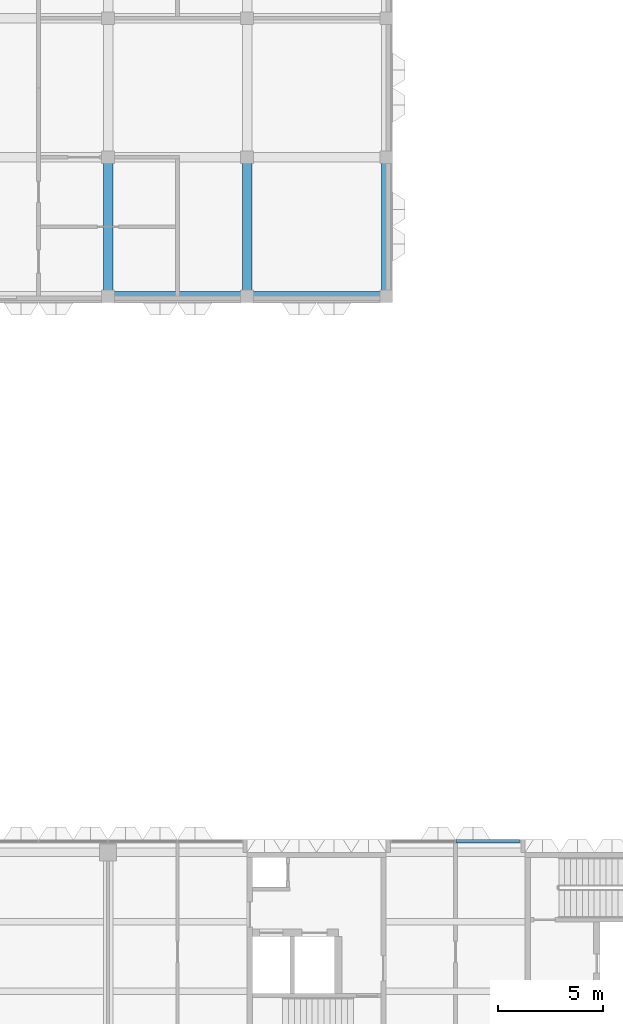
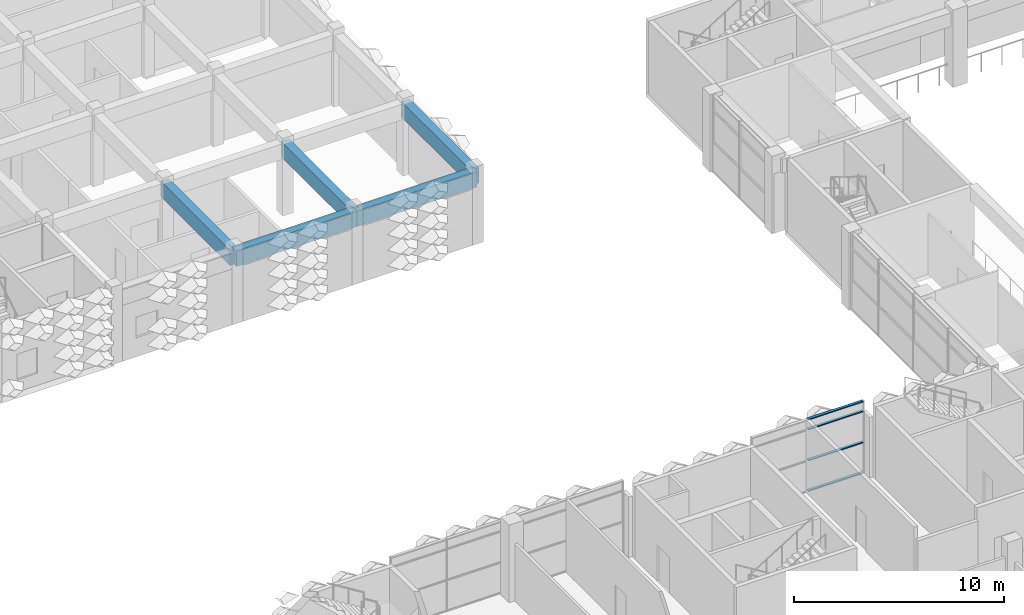
# One storey, part 10 of 87: 5 beams, 4 members, 1 element without a shape of its own.
"""IFC4 building model written with IfcOpenShell, lengths in metres."""

from ifc_helpers import new_model, si_unit, direction, frame, origin, origin_2d, place, context, subcontext, project, spatial, rectangle, extrude, material, material_profile, profile_set, type_object, element, aggregate, save


model = new_model("IFC4")

# Units and contexts
model_context = context("Model", 3, precision=1e-05, world=origin(), true_north=direction((0.0, 1.0)))
body_context = subcontext(model_context, "Body", "Model", "MODEL_VIEW")
ifc_project = project(units=[si_unit("LENGTHUNIT", "METRE"), si_unit("AREAUNIT", "SQUARE_METRE"), si_unit("VOLUMEUNIT", "CUBIC_METRE"), si_unit("PLANEANGLEUNIT", "RADIAN"), si_unit("MASSUNIT", "GRAM", prefix="KILO")], contexts=[model_context])

# Site, building, storey
site_placement = place(None, origin())
site = spatial("IfcSite", under=ifc_project, at=site_placement, CompositionType="ELEMENT")
building_placement = place(site_placement, origin())
building = spatial("IfcBuilding", under=site, at=building_placement, Name="Lantern Court Research Institute", CompositionType="ELEMENT")
storey_placement = place(building_placement, frame((0.0, 0.0, 5.39990234375)))
storey = spatial("IfcBuildingStorey", under=building, at=storey_placement, Name="L01", CompositionType="ELEMENT", Elevation=5.39990234375)

# Beams
ifc_material_1 = material(Name="Concrete C40/50", Category="concrete")
ifc_material_profile_1 = material_profile(ifc_material_1, rectangle(XDim=0.449951171875, YDim=0.89990234375, at=origin_2d()), Name="Clean room beam 450 x 900")
ifc_profile_set_1 = profile_set([ifc_material_profile_1], Name="Concrete C40/50")
beam_type = type_object("IfcBeamType", Name="Clean room beam 450 x 900", PredefinedType="BEAM", material=ifc_profile_set_1)
beam_1_placement = place(storey_placement, frame((13.199951171875, 49.5, 3.7001953125), z_axis=(1.0, 0.0, 0.0), x_axis=(0.0, 1.0, 0.0)))
element("IfcBeam", 1, at=beam_1_placement, inside=storey, type_object=beam_type, Name="Clean room beam", PredefinedType="BEAM", context=body_context, shape_type="SweptSolid", body=[
    extrude(rectangle(XDim=0.449951171875, YDim=0.89990234375, at=origin_2d()), origin(), (0.0, 0.0, 1.0), 6.60009765625),
])
beam_2_placement = place(storey_placement, frame((19.800048828125, 49.5, 3.7001953125), z_axis=(1.0, 0.0, 0.0), x_axis=(0.0, 1.0, 0.0)))
element("IfcBeam", 2, at=beam_2_placement, inside=storey, type_object=beam_type, Name="Clean room beam", PredefinedType="BEAM", context=body_context, shape_type="SweptSolid", body=[
    extrude(rectangle(XDim=0.449951171875, YDim=0.89990234375, at=origin_2d()), origin(), (0.0, 0.0, 1.0), 6.599853515625),
])
for number, where, z_axis, x_axis, name in (
    (3, (13.199951171875, 49.5, 3.7001953125), (0.0, 1.0, 0.0), (-1.0, 0.0, 0.0), "Clean room beam"),
    (4, (19.800048828125, 49.5, 3.7001953125), (0.0, 1.0, 0.0), (-1.0, 0.0, 0.0), "Clean room beam"),
    (5, (26.39990234375, 49.5, 3.7001953125), (0.0, 1.0, 0.0), (-1.0, 0.0, 0.0), "Clean room beam"),
):
    element("IfcBeam", number, at=place(storey_placement, frame(where, z_axis=z_axis, x_axis=x_axis)), inside=storey, type_object=beam_type, Name=name, PredefinedType="BEAM", context=body_context, shape_type="SweptSolid", body=[
        extrude(rectangle(XDim=0.449951171875, YDim=0.89990234375, at=origin_2d()), origin(), (0.0, 0.0, 1.0), 6.60009765625),
    ])

# Curtain wall, members
ifc_material_2 = material(Name="Aluminium alloy 6063-T6", Category="aluminium")
curtain_wall_type = type_object("IfcCurtainWallType", Name="Curtain wall 6200 x 4200 x 150 aluminium frame", PredefinedType="NOTDEFINED", material=ifc_material_2)
curtain_wall_placement = place(storey_placement, origin())
curtain_wall = element("IfcCurtainWall", 6, at=curtain_wall_placement, inside=storey, type_object=curtain_wall_type, Name="Curtain wall CW022", PredefinedType="NOTDEFINED")
ifc_material_3 = material(Name="Aluminium alloy 6063-T6", Category="aluminium")
ifc_material_profile_2 = material_profile(ifc_material_3, rectangle(XDim=0.14990234375, YDim=0.06005859375, at=origin_2d()), Name="Transom 150 x 60")
ifc_profile_set_2 = profile_set([ifc_material_profile_2], Name="Aluminium alloy 6063-T6")
member_type = type_object("IfcMemberType", Name="Transom 150 x 60 aluminium", PredefinedType="USERDEFINED", material=ifc_profile_set_2)
member_1_placement = place(storey_placement, frame((29.72998046875, 23.625, 0.030029296875), z_axis=(1.0, 0.0, 0.0), x_axis=(0.0, 1.0, 0.0)))
member_1 = element("IfcMember", 7, at=member_1_placement, type_object=member_type, Name="CW022 transom 2.1", ObjectType="TRANSOM", PredefinedType="USERDEFINED", context=body_context, shape_type="SweptSolid", body=[
    extrude(rectangle(XDim=0.14990234375, YDim=0.06005859375, at=origin_2d()), origin(), (0.0, 0.0, 1.0), 3.010009765625),
])
member_2_placement = place(storey_placement, frame((29.72998046875, 23.625, 1.800048828125), z_axis=(1.0, 0.0, 0.0), x_axis=(0.0, 1.0, 0.0)))
member_2 = element("IfcMember", 8, at=member_2_placement, type_object=member_type, Name="CW022 transom 2.2", ObjectType="TRANSOM", PredefinedType="USERDEFINED", context=body_context, shape_type="SweptSolid", body=[
    extrude(rectangle(XDim=0.14990234375, YDim=0.06005859375, at=origin_2d()), origin(), (0.0, 0.0, 1.0), 3.010009765625),
])
member_3_placement = place(storey_placement, frame((29.72998046875, 23.625, 3.60009765625), z_axis=(1.0, 0.0, 0.0), x_axis=(0.0, 1.0, 0.0)))
member_3 = element("IfcMember", 9, at=member_3_placement, type_object=member_type, Name="CW022 transom 2.3", ObjectType="TRANSOM", PredefinedType="USERDEFINED", context=body_context, shape_type="SweptSolid", body=[
    extrude(rectangle(XDim=0.14990234375, YDim=0.06005859375, at=origin_2d()), origin(), (0.0, 0.0, 1.0), 3.010009765625),
])
member_4_placement = place(storey_placement, frame((29.72998046875, 23.625, 4.170166015625), z_axis=(1.0, 0.0, 0.0), x_axis=(0.0, 1.0, 0.0)))
member_4 = element("IfcMember", 10, at=member_4_placement, type_object=member_type, Name="CW022 transom 2.4", ObjectType="TRANSOM", PredefinedType="USERDEFINED", context=body_context, shape_type="SweptSolid", body=[
    extrude(rectangle(XDim=0.14990234375, YDim=0.06005859375, at=origin_2d()), origin(), (0.0, 0.0, 1.0), 3.010009765625),
])
aggregate(curtain_wall, [member_1, member_2, member_3, member_4])

save(model, "model.ifc")
